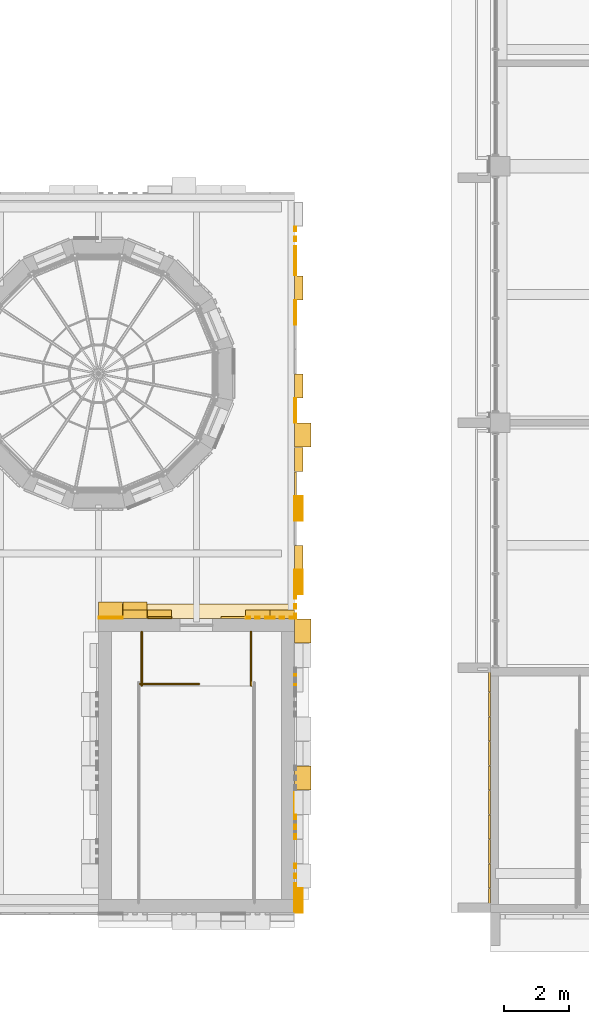
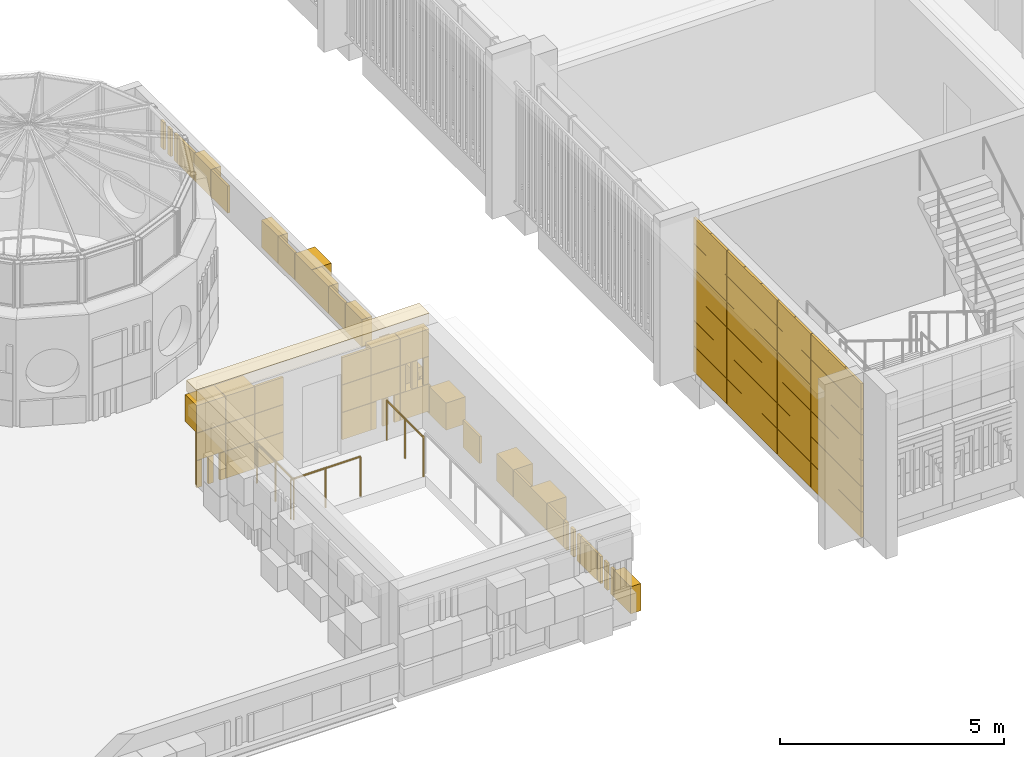
# One storey, part 85 of 98: 13 coverings, 3 railings.
"""IFC4 building model written with IfcOpenShell, lengths in metres."""

from ifc_helpers import new_model, si_unit, direction, frame, origin, origin_2d, place, context, subcontext, project, spatial, rectangle, circle, extrude, material, layer, layer_set, type_object, element, save


model = new_model("IFC4")

# Units and contexts
model_context = context("Model", 3, precision=1e-05, world=origin(), true_north=direction((0.0, 1.0)))
body_context = subcontext(model_context, "Body", "Model", "MODEL_VIEW")
ifc_project = project(units=[si_unit("LENGTHUNIT", "METRE"), si_unit("AREAUNIT", "SQUARE_METRE"), si_unit("VOLUMEUNIT", "CUBIC_METRE"), si_unit("PLANEANGLEUNIT", "RADIAN"), si_unit("MASSUNIT", "GRAM", prefix="KILO")], contexts=[model_context])

# Site, building, storey
site_placement = place(None, origin())
site = spatial("IfcSite", under=ifc_project, at=site_placement, CompositionType="ELEMENT")
building_placement = place(site_placement, origin())
building = spatial("IfcBuilding", under=site, at=building_placement, Name="Sun Court Science Centre", CompositionType="ELEMENT")
storey_placement = place(building_placement, frame((0.0, 0.0, 15.75)))
storey = spatial("IfcBuildingStorey", under=building, at=storey_placement, Name="L03", CompositionType="ELEMENT", Elevation=15.75)

# Railings
ifc_material_1 = material(Name="Steel S275", Category="steel")
railing_type = type_object("IfcRailingType", Name="Guard 1100 steel balustrade", PredefinedType="GUARDRAIL", material=ifc_material_1)
railing_placement = place(storey_placement, frame((67.277099609375, 13.001953125, 0.0)))
element("IfcRailing", 1, at=railing_placement, inside=storey, type_object=railing_type, Name="L03 SB3 top well guard 1", PredefinedType="GUARDRAIL", context=body_context, shape_type="SweptSolid", body=[
    extrude(circle(Radius=0.02392578125, at=origin_2d()), frame((0.0, 0.0, 1.076171875), z_axis=(1.0, 0.0, 0.0), x_axis=(0.0, 1.0, 0.0)), (0.0, 0.0, 1.0), 1.7978515625),
    extrude(circle(Radius=0.02099609375, at=origin_2d()), origin(), (0.0, 0.0, 1.0), 1.052001953125),
    extrude(circle(Radius=0.02099609375, at=origin_2d()), frame((0.89892578125, 0.0, 0.0)), (0.0, 0.0, 1.0), 1.052001953125),
    extrude(circle(Radius=0.02099609375, at=origin_2d()), frame((1.7978515625, 0.0, 0.0)), (0.0, 0.0, 1.0), 1.052001953125),
])
for number, where, name in (
    (2, (67.326904296875, 14.60009765625, 0.0), "L03 SB3 top well guard 4"),
    (3, (70.673095703125, 14.60009765625, 0.0), "L03 SB3 top well guard 5"),
):
    element("IfcRailing", number, at=place(storey_placement, frame(where)), inside=storey, type_object=railing_type, Name=name, PredefinedType="GUARDRAIL", context=body_context, shape_type="SweptSolid", body=[
        extrude(circle(Radius=0.02392578125, at=origin_2d()), frame((0.0, 0.0, 1.076171875), z_axis=(0.0, -1.0, 0.0), x_axis=(1.0, 0.0, 0.0)), (0.0, 0.0, 1.0), 1.648193359375),
        extrude(circle(Radius=0.02099609375, at=origin_2d()), origin(), (0.0, 0.0, 1.0), 1.052001953125),
        extrude(circle(Radius=0.02099609375, at=origin_2d()), frame((0.0, -0.82421875, 0.0)), (0.0, 0.0, 1.0), 1.052001953125),
        extrude(circle(Radius=0.02099609375, at=origin_2d()), frame((0.0, -1.648193359375, 0.0)), (0.0, 0.0, 1.0), 1.052001953125),
    ])

# Coverings
ifc_material_2 = material(Name="Red sandstone", Category="masonry")
ifc_layer_1 = layer(ifc_material_2, 0.06005859375)
ifc_layer_set_1 = layer_set([ifc_layer_1], Name="Red sandstone")
covering_type_1 = type_object("IfcCoveringType", Name="Red sandstone wall cladding 750", PredefinedType="CLADDING", material=ifc_layer_set_1)
covering_1_placement = place(storey_placement, frame((0.0, 0.0, -15.75)))
element("IfcCovering", 4, at=covering_1_placement, inside=storey, type_object=covering_type_1, Name="Red sandstone wall cladding west face L03", PredefinedType="CLADDING", context=body_context, shape_type="SweptSolid", body=[
    extrude(rectangle(XDim=0.739990234375, YDim=0.06005859375, at=origin_2d()), frame((77.969970703125, 6.375, 15.755126953125), z_axis=(0.0, 0.0, 1.0), x_axis=(0.0, 1.0, 0.0)), (0.0, 0.0, 1.0), 0.68994140625),
    extrude(rectangle(XDim=0.739990234375, YDim=0.06005859375, at=origin_2d()), frame((77.969970703125, 7.125, 15.755126953125), z_axis=(0.0, 0.0, 1.0), x_axis=(0.0, 1.0, 0.0)), (0.0, 0.0, 1.0), 0.68994140625),
    extrude(rectangle(XDim=0.739990234375, YDim=0.06005859375, at=origin_2d()), frame((77.969970703125, 7.875, 15.755126953125), z_axis=(0.0, 0.0, 1.0), x_axis=(0.0, 1.0, 0.0)), (0.0, 0.0, 1.0), 0.68994140625),
    extrude(rectangle(XDim=0.739990234375, YDim=0.06005859375, at=origin_2d()), frame((77.969970703125, 8.625, 15.755126953125), z_axis=(0.0, 0.0, 1.0), x_axis=(0.0, 1.0, 0.0)), (0.0, 0.0, 1.0), 0.68994140625),
    extrude(rectangle(XDim=0.739990234375, YDim=0.06005859375, at=origin_2d()), frame((77.969970703125, 9.375, 15.755126953125), z_axis=(0.0, 0.0, 1.0), x_axis=(0.0, 1.0, 0.0)), (0.0, 0.0, 1.0), 0.68994140625),
    extrude(rectangle(XDim=0.739990234375, YDim=0.06005859375, at=origin_2d()), frame((77.969970703125, 10.125, 15.755126953125), z_axis=(0.0, 0.0, 1.0), x_axis=(0.0, 1.0, 0.0)), (0.0, 0.0, 1.0), 0.68994140625),
    extrude(rectangle(XDim=0.739990234375, YDim=0.06005859375, at=origin_2d()), frame((77.969970703125, 10.875, 15.755126953125), z_axis=(0.0, 0.0, 1.0), x_axis=(0.0, 1.0, 0.0)), (0.0, 0.0, 1.0), 0.68994140625),
    extrude(rectangle(XDim=0.739990234375, YDim=0.06005859375, at=origin_2d()), frame((77.969970703125, 11.625, 15.755126953125), z_axis=(0.0, 0.0, 1.0), x_axis=(0.0, 1.0, 0.0)), (0.0, 0.0, 1.0), 0.68994140625),
    extrude(rectangle(XDim=0.739990234375, YDim=0.06005859375, at=origin_2d()), frame((77.969970703125, 12.375, 15.755126953125), z_axis=(0.0, 0.0, 1.0), x_axis=(0.0, 1.0, 0.0)), (0.0, 0.0, 1.0), 0.68994140625),
    extrude(rectangle(XDim=0.739990234375, YDim=0.06005859375, at=origin_2d()), frame((77.969970703125, 13.125, 15.755126953125), z_axis=(0.0, 0.0, 1.0), x_axis=(0.0, 1.0, 0.0)), (0.0, 0.0, 1.0), 0.68994140625),
    extrude(rectangle(XDim=0.739990234375, YDim=0.06005859375, at=origin_2d()), frame((77.969970703125, 6.375, 16.455078125), z_axis=(0.0, 0.0, 1.0), x_axis=(0.0, 1.0, 0.0)), (0.0, 0.0, 1.0), 0.68994140625),
    extrude(rectangle(XDim=0.739990234375, YDim=0.06005859375, at=origin_2d()), frame((77.969970703125, 7.125, 16.455078125), z_axis=(0.0, 0.0, 1.0), x_axis=(0.0, 1.0, 0.0)), (0.0, 0.0, 1.0), 0.68994140625),
    extrude(rectangle(XDim=0.739990234375, YDim=0.06005859375, at=origin_2d()), frame((77.969970703125, 7.875, 16.455078125), z_axis=(0.0, 0.0, 1.0), x_axis=(0.0, 1.0, 0.0)), (0.0, 0.0, 1.0), 0.68994140625),
    extrude(rectangle(XDim=0.739990234375, YDim=0.06005859375, at=origin_2d()), frame((77.969970703125, 8.625, 16.455078125), z_axis=(0.0, 0.0, 1.0), x_axis=(0.0, 1.0, 0.0)), (0.0, 0.0, 1.0), 0.68994140625),
    extrude(rectangle(XDim=0.739990234375, YDim=0.06005859375, at=origin_2d()), frame((77.969970703125, 9.375, 16.455078125), z_axis=(0.0, 0.0, 1.0), x_axis=(0.0, 1.0, 0.0)), (0.0, 0.0, 1.0), 0.68994140625),
    extrude(rectangle(XDim=0.739990234375, YDim=0.06005859375, at=origin_2d()), frame((77.969970703125, 10.125, 16.455078125), z_axis=(0.0, 0.0, 1.0), x_axis=(0.0, 1.0, 0.0)), (0.0, 0.0, 1.0), 0.68994140625),
    extrude(rectangle(XDim=0.739990234375, YDim=0.06005859375, at=origin_2d()), frame((77.969970703125, 10.875, 16.455078125), z_axis=(0.0, 0.0, 1.0), x_axis=(0.0, 1.0, 0.0)), (0.0, 0.0, 1.0), 0.68994140625),
    extrude(rectangle(XDim=0.739990234375, YDim=0.06005859375, at=origin_2d()), frame((77.969970703125, 11.625, 16.455078125), z_axis=(0.0, 0.0, 1.0), x_axis=(0.0, 1.0, 0.0)), (0.0, 0.0, 1.0), 0.68994140625),
    extrude(rectangle(XDim=0.739990234375, YDim=0.06005859375, at=origin_2d()), frame((77.969970703125, 12.375, 16.455078125), z_axis=(0.0, 0.0, 1.0), x_axis=(0.0, 1.0, 0.0)), (0.0, 0.0, 1.0), 0.68994140625),
    extrude(rectangle(XDim=0.739990234375, YDim=0.06005859375, at=origin_2d()), frame((77.969970703125, 13.125, 16.455078125), z_axis=(0.0, 0.0, 1.0), x_axis=(0.0, 1.0, 0.0)), (0.0, 0.0, 1.0), 0.68994140625),
    extrude(rectangle(XDim=0.739990234375, YDim=0.06005859375, at=origin_2d()), frame((77.969970703125, 6.375, 17.155029296875), z_axis=(0.0, 0.0, 1.0), x_axis=(0.0, 1.0, 0.0)), (0.0, 0.0, 1.0), 0.68994140625),
    extrude(rectangle(XDim=0.739990234375, YDim=0.06005859375, at=origin_2d()), frame((77.969970703125, 7.125, 17.155029296875), z_axis=(0.0, 0.0, 1.0), x_axis=(0.0, 1.0, 0.0)), (0.0, 0.0, 1.0), 0.68994140625),
    extrude(rectangle(XDim=0.739990234375, YDim=0.06005859375, at=origin_2d()), frame((77.969970703125, 7.875, 17.155029296875), z_axis=(0.0, 0.0, 1.0), x_axis=(0.0, 1.0, 0.0)), (0.0, 0.0, 1.0), 0.68994140625),
    extrude(rectangle(XDim=0.739990234375, YDim=0.06005859375, at=origin_2d()), frame((77.969970703125, 8.625, 17.155029296875), z_axis=(0.0, 0.0, 1.0), x_axis=(0.0, 1.0, 0.0)), (0.0, 0.0, 1.0), 0.68994140625),
    extrude(rectangle(XDim=0.739990234375, YDim=0.06005859375, at=origin_2d()), frame((77.969970703125, 9.375, 17.155029296875), z_axis=(0.0, 0.0, 1.0), x_axis=(0.0, 1.0, 0.0)), (0.0, 0.0, 1.0), 0.68994140625),
    extrude(rectangle(XDim=0.739990234375, YDim=0.06005859375, at=origin_2d()), frame((77.969970703125, 10.125, 17.155029296875), z_axis=(0.0, 0.0, 1.0), x_axis=(0.0, 1.0, 0.0)), (0.0, 0.0, 1.0), 0.68994140625),
    extrude(rectangle(XDim=0.739990234375, YDim=0.06005859375, at=origin_2d()), frame((77.969970703125, 10.875, 17.155029296875), z_axis=(0.0, 0.0, 1.0), x_axis=(0.0, 1.0, 0.0)), (0.0, 0.0, 1.0), 0.68994140625),
    extrude(rectangle(XDim=0.739990234375, YDim=0.06005859375, at=origin_2d()), frame((77.969970703125, 11.625, 17.155029296875), z_axis=(0.0, 0.0, 1.0), x_axis=(0.0, 1.0, 0.0)), (0.0, 0.0, 1.0), 0.68994140625),
    extrude(rectangle(XDim=0.739990234375, YDim=0.06005859375, at=origin_2d()), frame((77.969970703125, 12.375, 17.155029296875), z_axis=(0.0, 0.0, 1.0), x_axis=(0.0, 1.0, 0.0)), (0.0, 0.0, 1.0), 0.68994140625),
    extrude(rectangle(XDim=0.739990234375, YDim=0.06005859375, at=origin_2d()), frame((77.969970703125, 13.125, 17.155029296875), z_axis=(0.0, 0.0, 1.0), x_axis=(0.0, 1.0, 0.0)), (0.0, 0.0, 1.0), 0.68994140625),
    extrude(rectangle(XDim=0.739990234375, YDim=0.06005859375, at=origin_2d()), frame((77.969970703125, 6.375, 17.85498046875), z_axis=(0.0, 0.0, 1.0), x_axis=(0.0, 1.0, 0.0)), (0.0, 0.0, 1.0), 0.68994140625),
    extrude(rectangle(XDim=0.739990234375, YDim=0.06005859375, at=origin_2d()), frame((77.969970703125, 7.125, 17.85498046875), z_axis=(0.0, 0.0, 1.0), x_axis=(0.0, 1.0, 0.0)), (0.0, 0.0, 1.0), 0.68994140625),
    extrude(rectangle(XDim=0.739990234375, YDim=0.06005859375, at=origin_2d()), frame((77.969970703125, 7.875, 17.85498046875), z_axis=(0.0, 0.0, 1.0), x_axis=(0.0, 1.0, 0.0)), (0.0, 0.0, 1.0), 0.68994140625),
    extrude(rectangle(XDim=0.739990234375, YDim=0.06005859375, at=origin_2d()), frame((77.969970703125, 8.625, 17.85498046875), z_axis=(0.0, 0.0, 1.0), x_axis=(0.0, 1.0, 0.0)), (0.0, 0.0, 1.0), 0.68994140625),
    extrude(rectangle(XDim=0.739990234375, YDim=0.06005859375, at=origin_2d()), frame((77.969970703125, 9.375, 17.85498046875), z_axis=(0.0, 0.0, 1.0), x_axis=(0.0, 1.0, 0.0)), (0.0, 0.0, 1.0), 0.68994140625),
    extrude(rectangle(XDim=0.739990234375, YDim=0.06005859375, at=origin_2d()), frame((77.969970703125, 10.125, 17.85498046875), z_axis=(0.0, 0.0, 1.0), x_axis=(0.0, 1.0, 0.0)), (0.0, 0.0, 1.0), 0.68994140625),
    extrude(rectangle(XDim=0.739990234375, YDim=0.06005859375, at=origin_2d()), frame((77.969970703125, 10.875, 17.85498046875), z_axis=(0.0, 0.0, 1.0), x_axis=(0.0, 1.0, 0.0)), (0.0, 0.0, 1.0), 0.68994140625),
    extrude(rectangle(XDim=0.739990234375, YDim=0.06005859375, at=origin_2d()), frame((77.969970703125, 11.625, 17.85498046875), z_axis=(0.0, 0.0, 1.0), x_axis=(0.0, 1.0, 0.0)), (0.0, 0.0, 1.0), 0.68994140625),
    extrude(rectangle(XDim=0.739990234375, YDim=0.06005859375, at=origin_2d()), frame((77.969970703125, 12.375, 17.85498046875), z_axis=(0.0, 0.0, 1.0), x_axis=(0.0, 1.0, 0.0)), (0.0, 0.0, 1.0), 0.68994140625),
    extrude(rectangle(XDim=0.739990234375, YDim=0.06005859375, at=origin_2d()), frame((77.969970703125, 13.125, 17.85498046875), z_axis=(0.0, 0.0, 1.0), x_axis=(0.0, 1.0, 0.0)), (0.0, 0.0, 1.0), 0.68994140625),
    extrude(rectangle(XDim=0.739990234375, YDim=0.06005859375, at=origin_2d()), frame((77.969970703125, 6.375, 18.554931640625), z_axis=(0.0, 0.0, 1.0), x_axis=(0.0, 1.0, 0.0)), (0.0, 0.0, 1.0), 0.68994140625),
    extrude(rectangle(XDim=0.739990234375, YDim=0.06005859375, at=origin_2d()), frame((77.969970703125, 7.125, 18.554931640625), z_axis=(0.0, 0.0, 1.0), x_axis=(0.0, 1.0, 0.0)), (0.0, 0.0, 1.0), 0.68994140625),
    extrude(rectangle(XDim=0.739990234375, YDim=0.06005859375, at=origin_2d()), frame((77.969970703125, 7.875, 18.554931640625), z_axis=(0.0, 0.0, 1.0), x_axis=(0.0, 1.0, 0.0)), (0.0, 0.0, 1.0), 0.68994140625),
    extrude(rectangle(XDim=0.739990234375, YDim=0.06005859375, at=origin_2d()), frame((77.969970703125, 8.625, 18.554931640625), z_axis=(0.0, 0.0, 1.0), x_axis=(0.0, 1.0, 0.0)), (0.0, 0.0, 1.0), 0.68994140625),
    extrude(rectangle(XDim=0.739990234375, YDim=0.06005859375, at=origin_2d()), frame((77.969970703125, 9.375, 18.554931640625), z_axis=(0.0, 0.0, 1.0), x_axis=(0.0, 1.0, 0.0)), (0.0, 0.0, 1.0), 0.68994140625),
    extrude(rectangle(XDim=0.739990234375, YDim=0.06005859375, at=origin_2d()), frame((77.969970703125, 10.125, 18.554931640625), z_axis=(0.0, 0.0, 1.0), x_axis=(0.0, 1.0, 0.0)), (0.0, 0.0, 1.0), 0.68994140625),
    extrude(rectangle(XDim=0.739990234375, YDim=0.06005859375, at=origin_2d()), frame((77.969970703125, 10.875, 18.554931640625), z_axis=(0.0, 0.0, 1.0), x_axis=(0.0, 1.0, 0.0)), (0.0, 0.0, 1.0), 0.68994140625),
    extrude(rectangle(XDim=0.739990234375, YDim=0.06005859375, at=origin_2d()), frame((77.969970703125, 11.625, 18.554931640625), z_axis=(0.0, 0.0, 1.0), x_axis=(0.0, 1.0, 0.0)), (0.0, 0.0, 1.0), 0.68994140625),
    extrude(rectangle(XDim=0.739990234375, YDim=0.06005859375, at=origin_2d()), frame((77.969970703125, 12.375, 18.554931640625), z_axis=(0.0, 0.0, 1.0), x_axis=(0.0, 1.0, 0.0)), (0.0, 0.0, 1.0), 0.68994140625),
    extrude(rectangle(XDim=0.739990234375, YDim=0.06005859375, at=origin_2d()), frame((77.969970703125, 13.125, 18.554931640625), z_axis=(0.0, 0.0, 1.0), x_axis=(0.0, 1.0, 0.0)), (0.0, 0.0, 1.0), 0.68994140625),
    extrude(rectangle(XDim=0.739990234375, YDim=0.06005859375, at=origin_2d()), frame((77.969970703125, 6.375, 19.255126953125), z_axis=(0.0, 0.0, 1.0), x_axis=(0.0, 1.0, 0.0)), (0.0, 0.0, 1.0), 0.68994140625),
    extrude(rectangle(XDim=0.739990234375, YDim=0.06005859375, at=origin_2d()), frame((77.969970703125, 7.125, 19.255126953125), z_axis=(0.0, 0.0, 1.0), x_axis=(0.0, 1.0, 0.0)), (0.0, 0.0, 1.0), 0.68994140625),
    extrude(rectangle(XDim=0.739990234375, YDim=0.06005859375, at=origin_2d()), frame((77.969970703125, 7.875, 19.255126953125), z_axis=(0.0, 0.0, 1.0), x_axis=(0.0, 1.0, 0.0)), (0.0, 0.0, 1.0), 0.68994140625),
    extrude(rectangle(XDim=0.739990234375, YDim=0.06005859375, at=origin_2d()), frame((77.969970703125, 8.625, 19.255126953125), z_axis=(0.0, 0.0, 1.0), x_axis=(0.0, 1.0, 0.0)), (0.0, 0.0, 1.0), 0.68994140625),
    extrude(rectangle(XDim=0.739990234375, YDim=0.06005859375, at=origin_2d()), frame((77.969970703125, 9.375, 19.255126953125), z_axis=(0.0, 0.0, 1.0), x_axis=(0.0, 1.0, 0.0)), (0.0, 0.0, 1.0), 0.68994140625),
    extrude(rectangle(XDim=0.739990234375, YDim=0.06005859375, at=origin_2d()), frame((77.969970703125, 10.125, 19.255126953125), z_axis=(0.0, 0.0, 1.0), x_axis=(0.0, 1.0, 0.0)), (0.0, 0.0, 1.0), 0.68994140625),
    extrude(rectangle(XDim=0.739990234375, YDim=0.06005859375, at=origin_2d()), frame((77.969970703125, 10.875, 19.255126953125), z_axis=(0.0, 0.0, 1.0), x_axis=(0.0, 1.0, 0.0)), (0.0, 0.0, 1.0), 0.68994140625),
    extrude(rectangle(XDim=0.739990234375, YDim=0.06005859375, at=origin_2d()), frame((77.969970703125, 11.625, 19.255126953125), z_axis=(0.0, 0.0, 1.0), x_axis=(0.0, 1.0, 0.0)), (0.0, 0.0, 1.0), 0.68994140625),
    extrude(rectangle(XDim=0.739990234375, YDim=0.06005859375, at=origin_2d()), frame((77.969970703125, 12.375, 19.255126953125), z_axis=(0.0, 0.0, 1.0), x_axis=(0.0, 1.0, 0.0)), (0.0, 0.0, 1.0), 0.68994140625),
    extrude(rectangle(XDim=0.739990234375, YDim=0.06005859375, at=origin_2d()), frame((77.969970703125, 13.125, 19.255126953125), z_axis=(0.0, 0.0, 1.0), x_axis=(0.0, 1.0, 0.0)), (0.0, 0.0, 1.0), 0.68994140625),
])
ifc_material_3 = material(Name="Terracotta panel", Category="masonry")
ifc_layer_2 = layer(ifc_material_3, 0.449951171875)
ifc_layer_set_2 = layer_set([ifc_layer_2], Name="Terracotta panel")
covering_type_2 = type_object("IfcCoveringType", Name="Terracotta cornice 450", PredefinedType="CLADDING", material=ifc_layer_set_2)
covering_2_placement = place(storey_placement, frame((0.0, 0.0, -15.75)))
element("IfcCovering", 5, at=covering_2_placement, inside=storey, type_object=covering_type_2, Name="Terracotta cornice north face of core L03", PredefinedType="CLADDING", context=body_context, shape_type="SweptSolid", body=[
    extrude(rectangle(XDim=6.0, YDim=0.449951171875, at=origin_2d()), frame((69.0, 15.22509765625, 18.2001953125), z_axis=(0.0, 0.0, 1.0), x_axis=(1.0, 0.0, 0.0)), (0.0, 0.0, 1.0), 0.300048828125),
])
ifc_material_4 = material(Name="Terracotta jali", Category="masonry")
ifc_layer_3 = layer(ifc_material_4, 0.06005859375)
ifc_layer_set_3 = layer_set([ifc_layer_3], Name="Terracotta jali")
covering_type_3 = type_object("IfcCoveringType", Name="Terracotta open jali panel", PredefinedType="CLADDING", material=ifc_layer_set_3)
covering_3_placement = place(storey_placement, frame((0.0, 0.0, -15.75)))
element("IfcCovering", 6, at=covering_3_placement, inside=storey, type_object=covering_type_3, Name="Open jali pixel cladding east face L03", PredefinedType="CLADDING", context=body_context, shape_type="SweptSolid", body=[
    extrude(rectangle(XDim=0.139892578125, YDim=0.06005859375, at=origin_2d()), frame((72.030029296875, 26.925048828125, 15.7548828125), z_axis=(0.0, 0.0, 1.0), x_axis=(0.0, -1.0, 0.0)), (0.0, 0.0, 1.0), 0.739990234375),
    extrude(rectangle(XDim=0.139892578125, YDim=0.06005859375, at=origin_2d()), frame((72.030029296875, 26.625, 15.7548828125), z_axis=(0.0, 0.0, 1.0), x_axis=(0.0, -1.0, 0.0)), (0.0, 0.0, 1.0), 0.739990234375),
    extrude(rectangle(XDim=0.139892578125, YDim=0.06005859375, at=origin_2d()), frame((72.030029296875, 26.324951171875, 15.7548828125), z_axis=(0.0, 0.0, 1.0), x_axis=(0.0, -1.0, 0.0)), (0.0, 0.0, 1.0), 0.739990234375),
    extrude(rectangle(XDim=0.139892578125, YDim=0.06005859375, at=origin_2d()), frame((72.030029296875, 15.675048828125, 15.7548828125), z_axis=(0.0, 0.0, 1.0), x_axis=(0.0, -1.0, 0.0)), (0.0, 0.0, 1.0), 0.739990234375),
    extrude(rectangle(XDim=0.139892578125, YDim=0.06005859375, at=origin_2d()), frame((72.030029296875, 15.375, 15.7548828125), z_axis=(0.0, 0.0, 1.0), x_axis=(0.0, -1.0, 0.0)), (0.0, 0.0, 1.0), 0.739990234375),
    extrude(rectangle(XDim=0.139892578125, YDim=0.06005859375, at=origin_2d()), frame((72.030029296875, 15.074951171875, 15.7548828125), z_axis=(0.0, 0.0, 1.0), x_axis=(0.0, -1.0, 0.0)), (0.0, 0.0, 1.0), 0.739990234375),
    extrude(rectangle(XDim=0.139892578125, YDim=0.06005859375, at=origin_2d()), frame((72.030029296875, 8.925048828125, 15.7548828125), z_axis=(0.0, 0.0, 1.0), x_axis=(0.0, -1.0, 0.0)), (0.0, 0.0, 1.0), 0.739990234375),
    extrude(rectangle(XDim=0.139892578125, YDim=0.06005859375, at=origin_2d()), frame((72.030029296875, 8.625, 15.7548828125), z_axis=(0.0, 0.0, 1.0), x_axis=(0.0, -1.0, 0.0)), (0.0, 0.0, 1.0), 0.739990234375),
    extrude(rectangle(XDim=0.139892578125, YDim=0.06005859375, at=origin_2d()), frame((72.030029296875, 8.324951171875, 15.7548828125), z_axis=(0.0, 0.0, 1.0), x_axis=(0.0, -1.0, 0.0)), (0.0, 0.0, 1.0), 0.739990234375),
    extrude(rectangle(XDim=0.139892578125, YDim=0.06005859375, at=origin_2d()), frame((72.030029296875, 7.425048828125, 15.7548828125), z_axis=(0.0, 0.0, 1.0), x_axis=(0.0, -1.0, 0.0)), (0.0, 0.0, 1.0), 0.739990234375),
    extrude(rectangle(XDim=0.139892578125, YDim=0.06005859375, at=origin_2d()), frame((72.030029296875, 7.125, 15.7548828125), z_axis=(0.0, 0.0, 1.0), x_axis=(0.0, -1.0, 0.0)), (0.0, 0.0, 1.0), 0.739990234375),
    extrude(rectangle(XDim=0.139892578125, YDim=0.06005859375, at=origin_2d()), frame((72.030029296875, 6.824951171875, 15.7548828125), z_axis=(0.0, 0.0, 1.0), x_axis=(0.0, -1.0, 0.0)), (0.0, 0.0, 1.0), 0.739990234375),
])
covering_4_placement = place(storey_placement, frame((0.0, 0.0, -15.75)))
element("IfcCovering", 7, at=covering_4_placement, inside=storey, type_object=covering_type_3, Name="Open jali pixel cladding north face of core L03", PredefinedType="CLADDING", context=body_context, shape_type="SweptSolid", body=[
    extrude(rectangle(XDim=0.139892578125, YDim=0.06005859375, at=origin_2d()), frame((66.074951171875, 15.030029296875, 15.830078125), z_axis=(0.0, 0.0, 1.0), x_axis=(1.0, 0.0, 0.0)), (0.0, 0.0, 1.0), 0.739990234375),
    extrude(rectangle(XDim=0.139892578125, YDim=0.06005859375, at=origin_2d()), frame((66.375, 15.030029296875, 15.830078125), z_axis=(0.0, 0.0, 1.0), x_axis=(1.0, 0.0, 0.0)), (0.0, 0.0, 1.0), 0.739990234375),
    extrude(rectangle(XDim=0.139892578125, YDim=0.06005859375, at=origin_2d()), frame((66.675048828125, 15.030029296875, 15.830078125), z_axis=(0.0, 0.0, 1.0), x_axis=(1.0, 0.0, 0.0)), (0.0, 0.0, 1.0), 0.739990234375),
    extrude(rectangle(XDim=0.139892578125, YDim=0.06005859375, at=origin_2d()), frame((70.574951171875, 15.030029296875, 15.830078125), z_axis=(0.0, 0.0, 1.0), x_axis=(1.0, 0.0, 0.0)), (0.0, 0.0, 1.0), 0.739990234375),
    extrude(rectangle(XDim=0.139892578125, YDim=0.06005859375, at=origin_2d()), frame((70.875, 15.030029296875, 15.830078125), z_axis=(0.0, 0.0, 1.0), x_axis=(1.0, 0.0, 0.0)), (0.0, 0.0, 1.0), 0.739990234375),
    extrude(rectangle(XDim=0.139892578125, YDim=0.06005859375, at=origin_2d()), frame((71.175048828125, 15.030029296875, 15.830078125), z_axis=(0.0, 0.0, 1.0), x_axis=(1.0, 0.0, 0.0)), (0.0, 0.0, 1.0), 0.739990234375),
    extrude(rectangle(XDim=0.139892578125, YDim=0.06005859375, at=origin_2d()), frame((71.324951171875, 15.030029296875, 16.580078125), z_axis=(0.0, 0.0, 1.0), x_axis=(1.0, 0.0, 0.0)), (0.0, 0.0, 1.0), 0.739990234375),
    extrude(rectangle(XDim=0.139892578125, YDim=0.06005859375, at=origin_2d()), frame((71.625, 15.030029296875, 16.580078125), z_axis=(0.0, 0.0, 1.0), x_axis=(1.0, 0.0, 0.0)), (0.0, 0.0, 1.0), 0.739990234375),
    extrude(rectangle(XDim=0.139892578125, YDim=0.06005859375, at=origin_2d()), frame((71.925048828125, 15.030029296875, 16.580078125), z_axis=(0.0, 0.0, 1.0), x_axis=(1.0, 0.0, 0.0)), (0.0, 0.0, 1.0), 0.739990234375),
    extrude(rectangle(XDim=0.739990234375, YDim=0.06005859375, at=origin_2d()), frame((66.375, 15.030029296875, 16.580078125), z_axis=(0.0, 0.0, 1.0), x_axis=(1.0, 0.0, 0.0)), (0.0, 0.0, 1.0), 0.739990234375),
])
ifc_material_5 = material(Name="Terracotta shade 1", Category="masonry")
ifc_layer_4 = layer(ifc_material_5, 0.06005859375)
ifc_layer_set_4 = layer_set([ifc_layer_4], Name="Terracotta shade 1")
covering_type_4 = type_object("IfcCoveringType", Name="Terracotta pixel panel shade 1", PredefinedType="CLADDING", material=ifc_layer_set_4)
covering_5_placement = place(storey_placement, frame((0.0, 0.0, -15.75)))
element("IfcCovering", 8, at=covering_5_placement, inside=storey, type_object=covering_type_4, Name="Terracotta pixel cladding shade 1 east face L03", PredefinedType="CLADDING", context=body_context, shape_type="SweptSolid", body=[
    extrude(rectangle(XDim=0.739990234375, YDim=0.260009765625, at=origin_2d()), frame((72.1298828125, 22.125, 15.7548828125), z_axis=(0.0, 0.0, 1.0), x_axis=(0.0, -1.0, 0.0)), (0.0, 0.0, 1.0), 0.739990234375),
    extrude(rectangle(XDim=0.739990234375, YDim=0.06005859375, at=origin_2d()), frame((72.030029296875, 19.125, 15.7548828125), z_axis=(0.0, 0.0, 1.0), x_axis=(0.0, -1.0, 0.0)), (0.0, 0.0, 1.0), 0.739990234375),
    extrude(rectangle(XDim=0.739990234375, YDim=0.260009765625, at=origin_2d()), frame((72.1298828125, 16.875, 15.7548828125), z_axis=(0.0, 0.0, 1.0), x_axis=(0.0, -1.0, 0.0)), (0.0, 0.0, 1.0), 0.739990234375),
    extrude(rectangle(XDim=0.739990234375, YDim=0.510009765625, at=origin_2d()), frame((72.2548828125, 14.625, 15.7548828125), z_axis=(0.0, 0.0, 1.0), x_axis=(0.0, -1.0, 0.0)), (0.0, 0.0, 1.0), 0.739990234375),
    extrude(rectangle(XDim=0.739990234375, YDim=0.06005859375, at=origin_2d()), frame((72.030029296875, 10.875, 15.7548828125), z_axis=(0.0, 0.0, 1.0), x_axis=(0.0, -1.0, 0.0)), (0.0, 0.0, 1.0), 0.739990234375),
    extrude(rectangle(XDim=0.739990234375, YDim=0.510009765625, at=origin_2d()), frame((72.2548828125, 10.125, 15.7548828125), z_axis=(0.0, 0.0, 1.0), x_axis=(0.0, -1.0, 0.0)), (0.0, 0.0, 1.0), 0.739990234375),
    extrude(rectangle(XDim=0.739990234375, YDim=0.06005859375, at=origin_2d()), frame((72.030029296875, 7.875, 15.7548828125), z_axis=(0.0, 0.0, 1.0), x_axis=(0.0, -1.0, 0.0)), (0.0, 0.0, 1.0), 0.739990234375),
])
covering_6_placement = place(storey_placement, frame((0.0, 0.0, -15.75)))
element("IfcCovering", 9, at=covering_6_placement, inside=storey, type_object=covering_type_4, Name="Terracotta pixel cladding shade 1 north face of core L03", PredefinedType="CLADDING", context=body_context, shape_type="SweptSolid", body=[
    extrude(rectangle(XDim=0.739990234375, YDim=0.06005859375, at=origin_2d()), frame((67.125, 15.030029296875, 15.830078125), z_axis=(0.0, 0.0, 1.0), x_axis=(1.0, 0.0, 0.0)), (0.0, 0.0, 1.0), 0.739990234375),
    extrude(rectangle(XDim=0.739990234375, YDim=0.260009765625, at=origin_2d()), frame((71.625, 15.1298828125, 15.830078125), z_axis=(0.0, 0.0, 1.0), x_axis=(1.0, 0.0, 0.0)), (0.0, 0.0, 1.0), 0.739990234375),
    extrude(rectangle(XDim=0.739990234375, YDim=0.260009765625, at=origin_2d()), frame((67.125, 15.1298828125, 16.580078125), z_axis=(0.0, 0.0, 1.0), x_axis=(1.0, 0.0, 0.0)), (0.0, 0.0, 1.0), 0.739990234375),
    extrude(rectangle(XDim=0.739990234375, YDim=0.06005859375, at=origin_2d()), frame((67.875, 15.030029296875, 17.330078125), z_axis=(0.0, 0.0, 1.0), x_axis=(1.0, 0.0, 0.0)), (0.0, 0.0, 1.0), 0.739990234375),
    extrude(rectangle(XDim=0.739990234375, YDim=0.260009765625, at=origin_2d()), frame((71.625, 15.1298828125, 17.330078125), z_axis=(0.0, 0.0, 1.0), x_axis=(1.0, 0.0, 0.0)), (0.0, 0.0, 1.0), 0.739990234375),
])
ifc_material_6 = material(Name="Terracotta shade 2", Category="masonry")
ifc_layer_5 = layer(ifc_material_6, 0.06005859375)
ifc_layer_set_5 = layer_set([ifc_layer_5], Name="Terracotta shade 2")
covering_type_5 = type_object("IfcCoveringType", Name="Terracotta pixel panel shade 2", PredefinedType="CLADDING", material=ifc_layer_set_5)
covering_7_placement = place(storey_placement, frame((0.0, 0.0, -15.75)))
element("IfcCovering", 10, at=covering_7_placement, inside=storey, type_object=covering_type_5, Name="Terracotta pixel cladding shade 2 north face of core L03", PredefinedType="CLADDING", context=body_context, shape_type="SweptSolid", body=[
    extrude(rectangle(XDim=0.739990234375, YDim=0.260009765625, at=origin_2d()), frame((67.875, 15.1298828125, 16.580078125), z_axis=(0.0, 0.0, 1.0), x_axis=(1.0, 0.0, 0.0)), (0.0, 0.0, 1.0), 0.739990234375),
    extrude(rectangle(XDim=0.739990234375, YDim=0.06005859375, at=origin_2d()), frame((70.875, 15.030029296875, 16.580078125), z_axis=(0.0, 0.0, 1.0), x_axis=(1.0, 0.0, 0.0)), (0.0, 0.0, 1.0), 0.739990234375),
    extrude(rectangle(XDim=0.739990234375, YDim=0.510009765625, at=origin_2d()), frame((66.375, 15.2548828125, 17.330078125), z_axis=(0.0, 0.0, 1.0), x_axis=(1.0, 0.0, 0.0)), (0.0, 0.0, 1.0), 0.739990234375),
    extrude(rectangle(XDim=0.739990234375, YDim=0.510009765625, at=origin_2d()), frame((67.125, 15.2548828125, 17.330078125), z_axis=(0.0, 0.0, 1.0), x_axis=(1.0, 0.0, 0.0)), (0.0, 0.0, 1.0), 0.739990234375),
])
ifc_material_7 = material(Name="Terracotta shade 3", Category="masonry")
ifc_layer_6 = layer(ifc_material_7, 0.06005859375)
ifc_layer_set_6 = layer_set([ifc_layer_6], Name="Terracotta shade 3")
covering_type_6 = type_object("IfcCoveringType", Name="Terracotta pixel panel shade 3", PredefinedType="CLADDING", material=ifc_layer_set_6)
covering_8_placement = place(storey_placement, frame((0.0, 0.0, -15.75)))
element("IfcCovering", 11, at=covering_8_placement, inside=storey, type_object=covering_type_6, Name="Terracotta pixel cladding shade 3 east face L03", PredefinedType="CLADDING", context=body_context, shape_type="SweptSolid", body=[
    extrude(rectangle(XDim=0.739990234375, YDim=0.06005859375, at=origin_2d()), frame((72.030029296875, 25.875, 15.7548828125), z_axis=(0.0, 0.0, 1.0), x_axis=(0.0, -1.0, 0.0)), (0.0, 0.0, 1.0), 0.739990234375),
    extrude(rectangle(XDim=0.739990234375, YDim=0.06005859375, at=origin_2d()), frame((72.030029296875, 21.375, 15.7548828125), z_axis=(0.0, 0.0, 1.0), x_axis=(0.0, -1.0, 0.0)), (0.0, 0.0, 1.0), 0.739990234375),
    extrude(rectangle(XDim=0.739990234375, YDim=0.260009765625, at=origin_2d()), frame((72.1298828125, 16.125, 15.7548828125), z_axis=(0.0, 0.0, 1.0), x_axis=(0.0, -1.0, 0.0)), (0.0, 0.0, 1.0), 0.739990234375),
    extrude(rectangle(XDim=0.739990234375, YDim=0.06005859375, at=origin_2d()), frame((72.030029296875, 9.375, 15.7548828125), z_axis=(0.0, 0.0, 1.0), x_axis=(0.0, -1.0, 0.0)), (0.0, 0.0, 1.0), 0.739990234375),
    extrude(rectangle(XDim=0.739990234375, YDim=0.260009765625, at=origin_2d()), frame((72.1298828125, 6.375, 15.7548828125), z_axis=(0.0, 0.0, 1.0), x_axis=(0.0, -1.0, 0.0)), (0.0, 0.0, 1.0), 0.739990234375),
])
covering_9_placement = place(storey_placement, frame((0.0, 0.0, -15.75)))
element("IfcCovering", 12, at=covering_9_placement, inside=storey, type_object=covering_type_6, Name="Terracotta pixel cladding shade 3 north face of core L03", PredefinedType="CLADDING", context=body_context, shape_type="SweptSolid", body=[
    extrude(rectangle(XDim=0.739990234375, YDim=0.06005859375, at=origin_2d()), frame((70.125, 15.030029296875, 15.830078125), z_axis=(0.0, 0.0, 1.0), x_axis=(1.0, 0.0, 0.0)), (0.0, 0.0, 1.0), 0.739990234375),
    extrude(rectangle(XDim=0.739990234375, YDim=0.260009765625, at=origin_2d()), frame((70.875, 15.1298828125, 17.330078125), z_axis=(0.0, 0.0, 1.0), x_axis=(1.0, 0.0, 0.0)), (0.0, 0.0, 1.0), 0.739990234375),
])
ifc_material_8 = material(Name="Terracotta shade 4", Category="masonry")
ifc_layer_7 = layer(ifc_material_8, 0.06005859375)
ifc_layer_set_7 = layer_set([ifc_layer_7], Name="Terracotta shade 4")
covering_type_7 = type_object("IfcCoveringType", Name="Terracotta pixel panel shade 4", PredefinedType="CLADDING", material=ifc_layer_set_7)
covering_10_placement = place(storey_placement, frame((0.0, 0.0, -15.75)))
element("IfcCovering", 13, at=covering_10_placement, inside=storey, type_object=covering_type_7, Name="Terracotta pixel cladding shade 4 east face L03", PredefinedType="CLADDING", context=body_context, shape_type="SweptSolid", body=[
    extrude(rectangle(XDim=0.739990234375, YDim=0.260009765625, at=origin_2d()), frame((72.1298828125, 25.125, 15.7548828125), z_axis=(0.0, 0.0, 1.0), x_axis=(0.0, -1.0, 0.0)), (0.0, 0.0, 1.0), 0.739990234375),
    extrude(rectangle(XDim=0.739990234375, YDim=0.510009765625, at=origin_2d()), frame((72.2548828125, 20.625, 15.7548828125), z_axis=(0.0, 0.0, 1.0), x_axis=(0.0, -1.0, 0.0)), (0.0, 0.0, 1.0), 0.739990234375),
    extrude(rectangle(XDim=0.739990234375, YDim=0.260009765625, at=origin_2d()), frame((72.1298828125, 19.875, 15.7548828125), z_axis=(0.0, 0.0, 1.0), x_axis=(0.0, -1.0, 0.0)), (0.0, 0.0, 1.0), 0.739990234375),
    extrude(rectangle(XDim=0.739990234375, YDim=0.510009765625, at=origin_2d()), frame((72.2548828125, 11.625, 15.7548828125), z_axis=(0.0, 0.0, 1.0), x_axis=(0.0, -1.0, 0.0)), (0.0, 0.0, 1.0), 0.739990234375),
])
covering_11_placement = place(storey_placement, frame((0.0, 0.0, -15.75)))
element("IfcCovering", 14, at=covering_11_placement, inside=storey, type_object=covering_type_7, Name="Terracotta pixel cladding shade 4 north face of core L03", PredefinedType="CLADDING", context=body_context, shape_type="SweptSolid", body=[
    extrude(rectangle(XDim=0.739990234375, YDim=0.06005859375, at=origin_2d()), frame((70.125, 15.030029296875, 16.580078125), z_axis=(0.0, 0.0, 1.0), x_axis=(1.0, 0.0, 0.0)), (0.0, 0.0, 1.0), 0.739990234375),
    extrude(rectangle(XDim=0.739990234375, YDim=0.06005859375, at=origin_2d()), frame((70.125, 15.030029296875, 17.330078125), z_axis=(0.0, 0.0, 1.0), x_axis=(1.0, 0.0, 0.0)), (0.0, 0.0, 1.0), 0.739990234375),
])
ifc_material_9 = material(Name="Terracotta shade 5", Category="masonry")
ifc_layer_8 = layer(ifc_material_9, 0.06005859375)
ifc_layer_set_8 = layer_set([ifc_layer_8], Name="Terracotta shade 5")
covering_type_8 = type_object("IfcCoveringType", Name="Terracotta pixel panel shade 5", PredefinedType="CLADDING", material=ifc_layer_set_8)
covering_12_placement = place(storey_placement, frame((0.0, 0.0, -15.75)))
element("IfcCovering", 15, at=covering_12_placement, inside=storey, type_object=covering_type_8, Name="Terracotta pixel cladding shade 5 east face L03", PredefinedType="CLADDING", context=body_context, shape_type="SweptSolid", body=[
    extrude(rectangle(XDim=0.739990234375, YDim=0.06005859375, at=origin_2d()), frame((72.030029296875, 24.375, 15.7548828125), z_axis=(0.0, 0.0, 1.0), x_axis=(0.0, -1.0, 0.0)), (0.0, 0.0, 1.0), 0.739990234375),
    extrude(rectangle(XDim=0.739990234375, YDim=0.260009765625, at=origin_2d()), frame((72.1298828125, 18.375, 15.7548828125), z_axis=(0.0, 0.0, 1.0), x_axis=(0.0, -1.0, 0.0)), (0.0, 0.0, 1.0), 0.739990234375),
    extrude(rectangle(XDim=0.739990234375, YDim=0.06005859375, at=origin_2d()), frame((72.030029296875, 13.125, 15.7548828125), z_axis=(0.0, 0.0, 1.0), x_axis=(0.0, -1.0, 0.0)), (0.0, 0.0, 1.0), 0.739990234375),
])
covering_13_placement = place(storey_placement, frame((0.0, 0.0, -15.75)))
element("IfcCovering", 16, at=covering_13_placement, inside=storey, type_object=covering_type_8, Name="Terracotta pixel cladding shade 5 north face of core L03", PredefinedType="CLADDING", context=body_context, shape_type="SweptSolid", body=[
    extrude(rectangle(XDim=0.739990234375, YDim=0.06005859375, at=origin_2d()), frame((67.875, 15.030029296875, 15.830078125), z_axis=(0.0, 0.0, 1.0), x_axis=(1.0, 0.0, 0.0)), (0.0, 0.0, 1.0), 0.739990234375),
])

save(model, "model.ifc")
